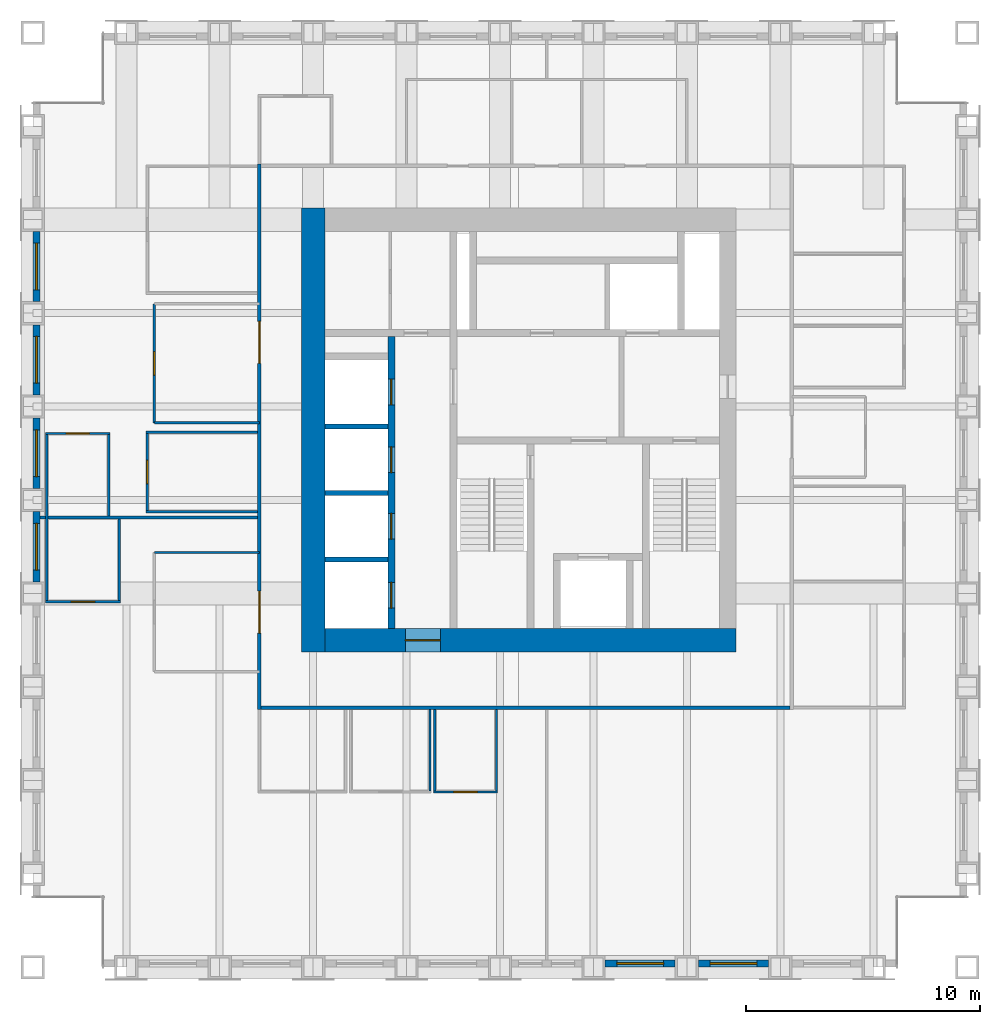
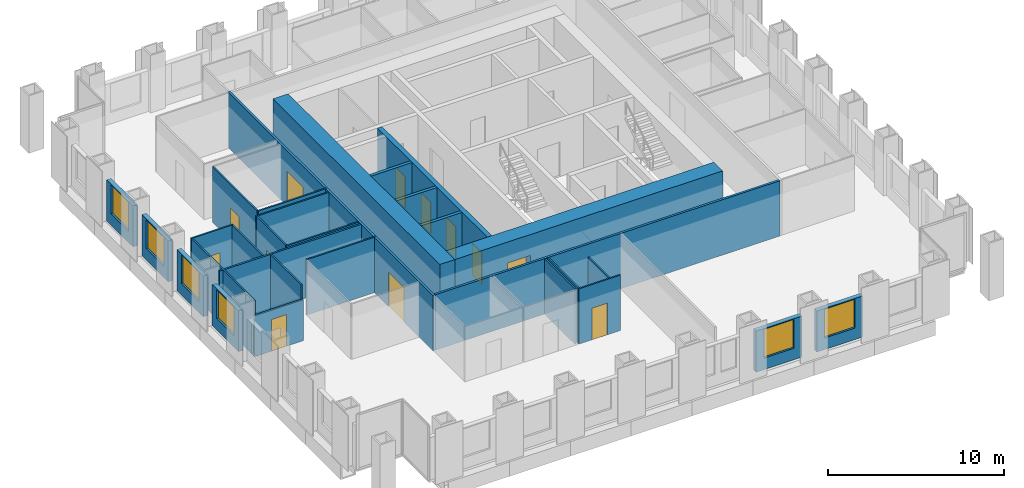
# One storey, part 8 of 13: 30 walls, 12 doors, 6 windows, 18 openings.
"""IFC4 building model written with IfcOpenShell, lengths in metres."""

from ifc_helpers import new_model, si_unit, direction, frame, frame_2d, origin, place, context, subcontext, project, spatial, rectangle, extrude, material, layer, layer_set, type_object, element, fill, save


model = new_model("IFC4")

# Units and contexts
model_context = context("Model", 3, precision=1e-05, world=origin(), true_north=direction((0.0, 1.0)))
body_context = subcontext(model_context, "Body", "Model", "MODEL_VIEW")
ifc_project = project(units=[si_unit("LENGTHUNIT", "METRE"), si_unit("AREAUNIT", "SQUARE_METRE"), si_unit("VOLUMEUNIT", "CUBIC_METRE"), si_unit("PLANEANGLEUNIT", "RADIAN"), si_unit("MASSUNIT", "GRAM", prefix="KILO")], contexts=[model_context])

# Site, building, storey
site_placement = place(None, origin())
site = spatial("IfcSite", under=ifc_project, at=site_placement, CompositionType="ELEMENT")
building_placement = place(site_placement, origin())
building = spatial("IfcBuilding", under=site, at=building_placement, Name="Rimbunsela Tower", CompositionType="ELEMENT")
storey_placement = place(building_placement, frame((0.0, 0.0, 286.199951171875)))
storey = spatial("IfcBuildingStorey", under=building, at=storey_placement, Name="L69", CompositionType="ELEMENT", Elevation=286.199951171875)

# Wall, openings, doors
ifc_material_1 = material(Name="Concrete fc' 80 MPa", Category="concrete")
ifc_layer_1 = layer(ifc_material_1, 0.300048828125)
ifc_layer_set_1 = layer_set([ifc_layer_1], Name="Core internal wall 300")
wall_type_1 = type_object("IfcWallType", Name="Core internal wall 300", PredefinedType="SHEAR", material=ifc_layer_set_1)
wall_1_placement = place(storey_placement, frame((21.35009765625, 18.5, -0.14990234375), z_axis=(0.0, 0.0, 1.0), x_axis=(0.0, 1.0, 0.0)))
wall_1 = element("IfcWall", 1, at=wall_1_placement, inside=storey, type_object=wall_type_1, Name="Lift shaft front west", PredefinedType="SHEAR", context=body_context, shape_type="SweptSolid", body=[
    extrude(rectangle(XDim=12.5, YDim=0.300048828125, at=frame_2d((6.25, 0.0))), origin(), (0.0, 0.0, 1.0), 4.0),
])
opening_1_placement = place(wall_1_placement, frame((0.875, 0.0, 0.14990234375)))
opening_1 = element("IfcOpeningElement", 2, at=opening_1_placement, cuts=wall_1, Name="Opening LD1", PredefinedType="OPENING", context=body_context, shape_type="SweptSolid", body=[
    extrude(rectangle(XDim=1.10009765625, YDim=2.199951171875, at=frame_2d((0.550048828125, 1.10009765625))), frame((0.0, 0.159912109375, 0.0), z_axis=(0.0, -1.0, 0.0), x_axis=(1.0, 0.0, 0.0)), (0.0, 0.0, 1.0), 0.320068359375),
])
opening_2_placement = place(wall_1_placement, frame((3.824951171875, 0.0, 0.14990234375)))
opening_2 = element("IfcOpeningElement", 3, at=opening_2_placement, cuts=wall_1, Name="Opening LD1", PredefinedType="OPENING", context=body_context, shape_type="SweptSolid", body=[
    extrude(rectangle(XDim=1.10009765625, YDim=2.199951171875, at=frame_2d((0.550048828125, 1.10009765625))), frame((0.0, 0.159912109375, 0.0), z_axis=(0.0, -1.0, 0.0), x_axis=(1.0, 0.0, 0.0)), (0.0, 0.0, 1.0), 0.320068359375),
])
opening_3_placement = place(wall_1_placement, frame((6.675048828125, 0.0, 0.14990234375)))
opening_3 = element("IfcOpeningElement", 4, at=opening_3_placement, cuts=wall_1, Name="Opening LD1", PredefinedType="OPENING", context=body_context, shape_type="SweptSolid", body=[
    extrude(rectangle(XDim=1.10009765625, YDim=2.199951171875, at=frame_2d((0.550048828125, 1.10009765625))), frame((0.0, 0.159912109375, 0.0), z_axis=(0.0, -1.0, 0.0), x_axis=(1.0, 0.0, 0.0)), (0.0, 0.0, 1.0), 0.320068359375),
])
opening_4_placement = place(wall_1_placement, frame((9.574951171875, 0.0, 0.14990234375)))
opening_4 = element("IfcOpeningElement", 5, at=opening_4_placement, cuts=wall_1, Name="Opening LD1", PredefinedType="OPENING", context=body_context, shape_type="SweptSolid", body=[
    extrude(rectangle(XDim=1.10009765625, YDim=2.199951171875, at=frame_2d((0.550048828125, 1.10009765625))), frame((0.0, 0.159912109375, 0.0), z_axis=(0.0, -1.0, 0.0), x_axis=(1.0, 0.0, 0.0)), (0.0, 0.0, 1.0), 0.320068359375),
])
ifc_material_2 = material(Name="Steel door, fire rated", Category="steel")
door_type_1 = type_object("IfcDoorType", Name="Lift landing door 1100", OperationType="DOUBLE_DOOR_SLIDING", PredefinedType="DOOR", material=ifc_material_2)
door_1_placement = place(opening_1_placement, origin())
door_1 = element("IfcDoor", 6, at=door_1_placement, inside=storey, type_object=door_type_1, Name="Lift landing door TL1", OperationType="DOUBLE_DOOR_SLIDING", OverallHeight=2.199951171875, OverallWidth=1.10009765625, PredefinedType="DOOR", context=body_context, shape_type="SweptSolid", body=[
    extrude(rectangle(XDim=1.10009765625, YDim=2.199951171875, at=frame_2d((0.550048828125, 1.10009765625))), frame((0.0, 0.02490234375, 0.0), z_axis=(0.0, -1.0, 0.0), x_axis=(1.0, 0.0, 0.0)), (0.0, 0.0, 1.0), 0.050048828125),
])
fill(opening_1, door_1)
door_2_placement = place(opening_2_placement, origin())
door_2 = element("IfcDoor", 7, at=door_2_placement, inside=storey, type_object=door_type_1, Name="Lift landing door TL2", OperationType="DOUBLE_DOOR_SLIDING", OverallHeight=2.199951171875, OverallWidth=1.10009765625, PredefinedType="DOOR", context=body_context, shape_type="SweptSolid", body=[
    extrude(rectangle(XDim=1.10009765625, YDim=2.199951171875, at=frame_2d((0.550048828125, 1.10009765625))), frame((0.0, 0.02490234375, 0.0), z_axis=(0.0, -1.0, 0.0), x_axis=(1.0, 0.0, 0.0)), (0.0, 0.0, 1.0), 0.050048828125),
])
fill(opening_2, door_2)
door_3_placement = place(opening_3_placement, origin())
door_3 = element("IfcDoor", 8, at=door_3_placement, inside=storey, type_object=door_type_1, Name="Lift landing door TL3", OperationType="DOUBLE_DOOR_SLIDING", OverallHeight=2.199951171875, OverallWidth=1.10009765625, PredefinedType="DOOR", context=body_context, shape_type="SweptSolid", body=[
    extrude(rectangle(XDim=1.10009765625, YDim=2.199951171875, at=frame_2d((0.550048828125, 1.10009765625))), frame((0.0, 0.02490234375, 0.0), z_axis=(0.0, -1.0, 0.0), x_axis=(1.0, 0.0, 0.0)), (0.0, 0.0, 1.0), 0.050048828125),
])
fill(opening_3, door_3)
door_4_placement = place(opening_4_placement, origin())
door_4 = element("IfcDoor", 9, at=door_4_placement, inside=storey, type_object=door_type_1, Name="Lift landing door TL4", OperationType="DOUBLE_DOOR_SLIDING", OverallHeight=2.199951171875, OverallWidth=1.10009765625, PredefinedType="DOOR", context=body_context, shape_type="SweptSolid", body=[
    extrude(rectangle(XDim=1.10009765625, YDim=2.199951171875, at=frame_2d((0.550048828125, 1.10009765625))), frame((0.0, 0.02490234375, 0.0), z_axis=(0.0, -1.0, 0.0), x_axis=(1.0, 0.0, 0.0)), (0.0, 0.0, 1.0), 0.050048828125),
])
fill(opening_4, door_4)

# Wall
ifc_material_3 = material(Name="Concrete fc' 80 MPa", Category="concrete")
ifc_layer_2 = layer(ifc_material_3, 1.0)
ifc_layer_set_2 = layer_set([ifc_layer_2], Name="Core wall 1000")
wall_type_2 = type_object("IfcWallType", Name="Core wall 1000", PredefinedType="SHEAR", material=ifc_layer_set_2)
wall_2_placement = place(storey_placement, frame((18.0, 17.5, -0.14990234375), z_axis=(0.0, 0.0, 1.0), x_axis=(0.0, 1.0, 0.0)))
element("IfcWall", 10, at=wall_2_placement, inside=storey, type_object=wall_type_2, Name="Core wall west", PredefinedType="SHEAR", context=body_context, shape_type="SweptSolid", body=[
    extrude(rectangle(XDim=19.0, YDim=1.0, at=frame_2d((9.5, 0.0))), origin(), (0.0, 0.0, 1.0), 4.0),
])

# Wall, opening, door
wall_3_placement = place(storey_placement, frame((18.5, 18.0, -0.14990234375), z_axis=(0.0, 0.0, 1.0), x_axis=(1.0, 0.0, 0.0)))
wall_3 = element("IfcWall", 11, at=wall_3_placement, inside=storey, type_object=wall_type_2, Name="Core wall south", PredefinedType="SHEAR", context=body_context, shape_type="SweptSolid", body=[
    extrude(rectangle(XDim=17.60009765625, YDim=1.0, at=frame_2d((8.800048828125, 0.0))), origin(), (0.0, 0.0, 1.0), 4.0),
])
opening_5_placement = place(wall_3_placement, frame((3.449951171875, 0.0, 0.14990234375)))
opening_5 = element("IfcOpeningElement", 12, at=opening_5_placement, cuts=wall_3, Name="Opening D03", PredefinedType="OPENING", context=body_context, shape_type="SweptSolid", body=[
    extrude(rectangle(XDim=1.5, YDim=2.39990234375, at=frame_2d((0.75, 1.199951171875))), frame((0.0, 0.510009765625, 0.0), z_axis=(0.0, -1.0, 0.0), x_axis=(1.0, 0.0, 0.0)), (0.0, 0.0, 1.0), 1.02001953125),
])
ifc_material_4 = material(Name="Steel door, fire rated", Category="steel")
door_type_2 = type_object("IfcDoorType", Name="Core lobby door 1500", OperationType="DOUBLE_DOOR_DOUBLE_SWING", PredefinedType="DOOR", material=ifc_material_4)
door_5_placement = place(opening_5_placement, origin())
door_5 = element("IfcDoor", 13, at=door_5_placement, inside=storey, type_object=door_type_2, Name="Core door south", OperationType="DOUBLE_DOOR_DOUBLE_SWING", OverallHeight=2.39990234375, OverallWidth=1.5, PredefinedType="DOOR", context=body_context, shape_type="SweptSolid", body=[
    extrude(rectangle(XDim=1.5, YDim=2.39990234375, at=frame_2d((0.75, 1.199951171875))), frame((0.0, 0.02490234375, 0.0), z_axis=(0.0, -1.0, 0.0), x_axis=(1.0, 0.0, 0.0)), (0.0, 0.0, 1.0), 0.050048828125),
])
fill(opening_5, door_5)

# Walls
ifc_material_5 = material(Name="Concrete blockwork", Category="masonry")
ifc_layer_3 = layer(ifc_material_5, 0.199951171875)
ifc_layer_set_3 = layer_set([ifc_layer_3], Name="Lift shaft wall 200")
wall_type_3 = type_object("IfcWallType", Name="Lift shaft wall 200", PredefinedType="SOLIDWALL", material=ifc_layer_set_3)
for number, where, z_axis, x_axis, name in (
    (14, (18.5, 21.449951171875, -0.14990234375), (0.0, 0.0, 1.0), (1.0, 0.0, 0.0), "Lift shaft separation"),
    (15, (18.5, 24.300048828125, -0.14990234375), (0.0, 0.0, 1.0), (1.0, 0.0, 0.0), "Lift shaft separation"),
    (16, (18.5, 27.14990234375, -0.14990234375), (0.0, 0.0, 1.0), (1.0, 0.0, 0.0), "Lift shaft separation"),
):
    element("IfcWall", number, at=place(storey_placement, frame(where, z_axis=z_axis, x_axis=x_axis)), inside=storey, type_object=wall_type_3, Name=name, PredefinedType="SOLIDWALL", context=body_context, shape_type="SweptSolid", body=[
        extrude(rectangle(XDim=2.699951171875, YDim=0.199951171875, at=frame_2d((1.35009765625, 0.0))), origin(), (0.0, 0.0, 1.0), 4.0),
    ])

# Wall, opening, door
ifc_material_6 = material(Name="Gypsum board on steel studs", Category="steel")
ifc_layer_4 = layer(ifc_material_6, 0.10009765625)
ifc_layer_set_4 = layer_set([ifc_layer_4], Name="Office partition 100")
wall_type_4 = type_object("IfcWallType", Name="Office partition 100", PredefinedType="PARTITIONING", material=ifc_layer_set_4)
wall_4_placement = place(storey_placement, frame((23.14990234375, 11.5, 0.0), z_axis=(0.0, 0.0, 1.0), x_axis=(1.0, 0.0, 0.0)))
wall_4 = element("IfcWall", 17, at=wall_4_placement, inside=storey, type_object=wall_type_4, Name="Office partition", PredefinedType="PARTITIONING", context=body_context, shape_type="SweptSolid", body=[
    extrude(rectangle(XDim=2.75, YDim=0.10009765625, at=frame_2d((1.375, 0.0))), origin(), (0.0, 0.0, 1.0), 3.85009765625),
])
opening_6_placement = place(wall_4_placement, frame((0.875, 0.0, 0.0)))
opening_6 = element("IfcOpeningElement", 18, at=opening_6_placement, cuts=wall_4, Name="Opening D16", PredefinedType="OPENING", context=body_context, shape_type="SweptSolid", body=[
    extrude(rectangle(XDim=1.0, YDim=2.199951171875, at=frame_2d((0.5, 1.10009765625))), frame((0.0, 0.06005859375, 0.0), z_axis=(0.0, -1.0, 0.0), x_axis=(1.0, 0.0, 0.0)), (0.0, 0.0, 1.0), 0.1201171875),
])
ifc_material_7 = material(Name="Timber door", Category="wood")
door_type_3 = type_object("IfcDoorType", Name="Office door 1000", OperationType="SINGLE_SWING_LEFT", PredefinedType="DOOR", material=ifc_material_7)
door_6_placement = place(opening_6_placement, origin())
door_6 = element("IfcDoor", 19, at=door_6_placement, inside=storey, type_object=door_type_3, Name="Office door", OperationType="SINGLE_SWING_LEFT", OverallHeight=2.199951171875, OverallWidth=1.0, PredefinedType="DOOR", context=body_context, shape_type="SweptSolid", body=[
    extrude(rectangle(XDim=1.0, YDim=2.199951171875, at=frame_2d((0.5, 1.10009765625))), frame((0.0, 0.02490234375, 0.0), z_axis=(0.0, -1.0, 0.0), x_axis=(1.0, 0.0, 0.0)), (0.0, 0.0, 1.0), 0.050048828125),
])
fill(opening_6, door_6)

wall_5_placement = place(storey_placement, frame((6.550048828125, 19.64990234375, 0.0), z_axis=(0.0, 0.0, 1.0), x_axis=(1.0, 0.0, 0.0)))
wall_5 = element("IfcWall", 20, at=wall_5_placement, inside=storey, type_object=wall_type_4, Name="Office partition", PredefinedType="PARTITIONING", context=body_context, shape_type="SweptSolid", body=[
    extrude(rectangle(XDim=3.199951171875, YDim=0.10009765625, at=frame_2d((1.60009765625, 0.0))), origin(), (0.0, 0.0, 1.0), 2.85009765625),
])
opening_7_placement = place(wall_5_placement, frame((1.10009765625, 0.0, 0.0)))
opening_7 = element("IfcOpeningElement", 21, at=opening_7_placement, cuts=wall_5, Name="Opening D16", PredefinedType="OPENING", context=body_context, shape_type="SweptSolid", body=[
    extrude(rectangle(XDim=1.0, YDim=2.199951171875, at=frame_2d((0.5, 1.10009765625))), frame((0.0, 0.06005859375, 0.0), z_axis=(0.0, -1.0, 0.0), x_axis=(1.0, 0.0, 0.0)), (0.0, 0.0, 1.0), 0.1201171875),
])
door_7_placement = place(opening_7_placement, origin())
door_7 = element("IfcDoor", 22, at=door_7_placement, inside=storey, type_object=door_type_3, Name="Office door", OperationType="SINGLE_SWING_LEFT", OverallHeight=2.199951171875, OverallWidth=1.0, PredefinedType="DOOR", context=body_context, shape_type="SweptSolid", body=[
    extrude(rectangle(XDim=1.0, YDim=2.199951171875, at=frame_2d((0.5, 1.10009765625))), frame((0.0, 0.02490234375, 0.0), z_axis=(0.0, -1.0, 0.0), x_axis=(1.0, 0.0, 0.0)), (0.0, 0.0, 1.0), 0.050048828125),
])
fill(opening_7, door_7)

# Wall
wall_6_placement = place(storey_placement, frame((10.85009765625, 23.5, 0.0), z_axis=(0.0, 0.0, 1.0), x_axis=(1.0, 0.0, 0.0)))
element("IfcWall", 23, at=wall_6_placement, inside=storey, type_object=wall_type_4, Name="Office partition", PredefinedType="PARTITIONING", context=body_context, shape_type="SweptSolid", body=[
    extrude(rectangle(XDim=4.77490234375, YDim=0.10009765625, at=frame_2d((2.387451171875, 0.0))), origin(), (0.0, 0.0, 1.0), 3.85009765625),
])

# Wall, opening, door
wall_7_placement = place(storey_placement, frame((6.550048828125, 26.85009765625, 0.0), z_axis=(0.0, 0.0, 1.0), x_axis=(1.0, 0.0, 0.0)))
wall_7 = element("IfcWall", 24, at=wall_7_placement, inside=storey, type_object=wall_type_4, Name="Office partition", PredefinedType="PARTITIONING", context=body_context, shape_type="SweptSolid", body=[
    extrude(rectangle(XDim=2.75, YDim=0.10009765625, at=frame_2d((1.375, 0.0))), origin(), (0.0, 0.0, 1.0), 3.85009765625),
])
opening_8_placement = place(wall_7_placement, frame((0.875, 0.0, 0.0)))
opening_8 = element("IfcOpeningElement", 25, at=opening_8_placement, cuts=wall_7, Name="Opening D16", PredefinedType="OPENING", context=body_context, shape_type="SweptSolid", body=[
    extrude(rectangle(XDim=1.0, YDim=2.199951171875, at=frame_2d((0.5, 1.10009765625))), frame((0.0, 0.06005859375, 0.0), z_axis=(0.0, -1.0, 0.0), x_axis=(1.0, 0.0, 0.0)), (0.0, 0.0, 1.0), 0.1201171875),
])
door_8_placement = place(opening_8_placement, origin())
door_8 = element("IfcDoor", 26, at=door_8_placement, inside=storey, type_object=door_type_3, Name="Office door", OperationType="SINGLE_SWING_LEFT", OverallHeight=2.199951171875, OverallWidth=1.0, PredefinedType="DOOR", context=body_context, shape_type="SweptSolid", body=[
    extrude(rectangle(XDim=1.0, YDim=2.199951171875, at=frame_2d((0.5, 1.10009765625))), frame((0.0, 0.02490234375, 0.0), z_axis=(0.0, -1.0, 0.0), x_axis=(1.0, 0.0, 0.0)), (0.0, 0.0, 1.0), 0.050048828125),
])
fill(opening_8, door_8)

# Walls
wall_8_placement = place(storey_placement, frame((10.85009765625, 26.89990234375, 0.0), z_axis=(0.0, 0.0, 1.0), x_axis=(1.0, 0.0, 0.0)))
element("IfcWall", 27, at=wall_8_placement, inside=storey, type_object=wall_type_4, Name="Office partition", PredefinedType="PARTITIONING", context=body_context, shape_type="SweptSolid", body=[
    extrude(rectangle(XDim=4.77490234375, YDim=0.10009765625, at=frame_2d((2.387451171875, 0.0))), origin(), (0.0, 0.0, 1.0), 3.85009765625),
])
wall_9_placement = place(storey_placement, frame((6.60009765625, 19.699951171875, 0.0), z_axis=(0.0, 0.0, 1.0), x_axis=(0.0, 1.0, 0.0)))
element("IfcWall", 28, at=wall_9_placement, inside=storey, type_object=wall_type_4, Name="Office partition", PredefinedType="PARTITIONING", context=body_context, shape_type="SweptSolid", body=[
    extrude(rectangle(XDim=7.10009765625, YDim=0.10009765625, at=frame_2d((3.550048828125, 0.0))), origin(), (0.0, 0.0, 1.0), 3.85009765625),
])
for number, where, z_axis, x_axis, name in (
    (29, (9.25, 23.31005859375, 0.0), (0.0, 0.0, 1.0), (0.0, 1.0, 0.0), "Office partition"),
    (30, (9.699951171875, 19.699951171875, 0.0), (0.0, 0.0, 1.0), (0.0, 1.0, 0.0), "Office partition"),
):
    element("IfcWall", number, at=place(storey_placement, frame(where, z_axis=z_axis, x_axis=x_axis)), inside=storey, type_object=wall_type_4, Name=name, PredefinedType="PARTITIONING", context=body_context, shape_type="SweptSolid", body=[
        extrude(rectangle(XDim=3.489990234375, YDim=0.10009765625, at=frame_2d((1.7451171875, 0.0))), origin(), (0.0, 0.0, 1.0), 3.85009765625),
    ])

# Wall, opening, door
wall_10_placement = place(storey_placement, frame((10.89990234375, 23.550048828125, 0.0), z_axis=(0.0, 0.0, 1.0), x_axis=(0.0, 1.0, 0.0)))
wall_10 = element("IfcWall", 31, at=wall_10_placement, inside=storey, type_object=wall_type_4, Name="Office partition", PredefinedType="PARTITIONING", context=body_context, shape_type="SweptSolid", body=[
    extrude(rectangle(XDim=3.300048828125, YDim=0.10009765625, at=frame_2d((1.64990234375, 0.0))), origin(), (0.0, 0.0, 1.0), 3.85009765625),
])
opening_9_placement = place(wall_10_placement, frame((1.14990234375, 0.0, 0.0)))
opening_9 = element("IfcOpeningElement", 32, at=opening_9_placement, cuts=wall_10, Name="Opening D16", PredefinedType="OPENING", context=body_context, shape_type="SweptSolid", body=[
    extrude(rectangle(XDim=1.0, YDim=2.199951171875, at=frame_2d((0.5, 1.10009765625))), frame((0.0, 0.06005859375, 0.0), z_axis=(0.0, -1.0, 0.0), x_axis=(1.0, 0.0, 0.0)), (0.0, 0.0, 1.0), 0.1201171875),
])
door_9_placement = place(opening_9_placement, origin())
door_9 = element("IfcDoor", 33, at=door_9_placement, inside=storey, type_object=door_type_3, Name="Office door", OperationType="SINGLE_SWING_LEFT", OverallHeight=2.199951171875, OverallWidth=1.0, PredefinedType="DOOR", context=body_context, shape_type="SweptSolid", body=[
    extrude(rectangle(XDim=1.0, YDim=2.199951171875, at=frame_2d((0.5, 1.10009765625))), frame((0.0, 0.02490234375, 0.0), z_axis=(0.0, -1.0, 0.0), x_axis=(1.0, 0.0, 0.0)), (0.0, 0.0, 1.0), 0.050048828125),
])
fill(opening_9, door_9)

# Walls
for number, where, z_axis, x_axis, name in (
    (34, (23.0, 11.550048828125, 0.0), (0.0, 0.0, 1.0), (0.0, 1.0, 0.0), "Office partition"),
    (35, (23.199951171875, 11.550048828125, 0.0), (0.0, 0.0, 1.0), (0.0, 1.0, 0.0), "Office partition"),
):
    element("IfcWall", number, at=place(storey_placement, frame(where, z_axis=z_axis, x_axis=x_axis)), inside=storey, type_object=wall_type_4, Name=name, PredefinedType="PARTITIONING", context=body_context, shape_type="SweptSolid", body=[
        extrude(rectangle(XDim=3.474853515625, YDim=0.10009765625, at=frame_2d((1.7373046875, 0.0))), origin(), (0.0, 0.0, 1.0), 3.85009765625),
    ])
wall_11_placement = place(storey_placement, frame((25.85009765625, 11.550048828125, 0.0), z_axis=(0.0, 0.0, 1.0), x_axis=(0.0, 1.0, 0.0)))
element("IfcWall", 36, at=wall_11_placement, inside=storey, type_object=wall_type_4, Name="Office partition", PredefinedType="PARTITIONING", context=body_context, shape_type="SweptSolid", body=[
    extrude(rectangle(XDim=3.474853515625, YDim=0.10009765625, at=frame_2d((1.7373046875, 0.0))), origin(), (0.0, 0.0, 1.0), 2.949951171875),
])
wall_12_placement = place(storey_placement, frame((15.699951171875, 21.75, 0.0), z_axis=(0.0, 0.0, 1.0), x_axis=(-1.0, 0.0, 0.0)))
element("IfcWall", 37, at=wall_12_placement, inside=storey, type_object=wall_type_4, Name="Office partition", PredefinedType="PARTITIONING", context=body_context, shape_type="SweptSolid", body=[
    extrude(rectangle(XDim=4.5, YDim=0.10009765625, at=frame_2d((2.25, 0.0))), origin(), (0.0, 0.0, 1.0), 3.85009765625),
])

# Wall, opening, door
wall_13_placement = place(storey_placement, frame((11.199951171875, 32.39990234375, 0.0), z_axis=(0.0, 0.0, 1.0), x_axis=(0.0, -1.0, 0.0)))
wall_13 = element("IfcWall", 38, at=wall_13_placement, inside=storey, type_object=wall_type_4, Name="Office partition", PredefinedType="PARTITIONING", context=body_context, shape_type="SweptSolid", body=[
    extrude(rectangle(XDim=5.099853515625, YDim=0.10009765625, at=frame_2d((2.5498046875, 0.0))), origin(), (0.0, 0.0, 1.0), 3.85009765625),
])
opening_10_placement = place(wall_13_placement, frame((2.050048828125, 0.0, 0.0)))
opening_10 = element("IfcOpeningElement", 39, at=opening_10_placement, cuts=wall_13, Name="Opening D17", PredefinedType="OPENING", context=body_context, shape_type="SweptSolid", body=[
    extrude(rectangle(XDim=1.0, YDim=2.199951171875, at=frame_2d((0.5, 1.10009765625))), frame((0.0, 0.06005859375, 0.0), z_axis=(0.0, -1.0, 0.0), x_axis=(1.0, 0.0, 0.0)), (0.0, 0.0, 1.0), 0.1201171875),
])
ifc_material_8 = material(Name="Glazed aluminium door", Category="aluminium")
door_type_4 = type_object("IfcDoorType", Name="Meeting room door 1000 glazed", OperationType="SINGLE_SWING_RIGHT", PredefinedType="DOOR", material=ifc_material_8)
door_10_placement = place(opening_10_placement, origin())
door_10 = element("IfcDoor", 40, at=door_10_placement, inside=storey, type_object=door_type_4, Name="Reception door", OperationType="SINGLE_SWING_RIGHT", OverallHeight=2.199951171875, OverallWidth=1.0, PredefinedType="DOOR", context=body_context, shape_type="SweptSolid", body=[
    extrude(rectangle(XDim=1.0, YDim=2.199951171875, at=frame_2d((0.5, 1.10009765625))), frame((0.0, 0.02490234375, 0.0), z_axis=(0.0, -1.0, 0.0), x_axis=(1.0, 0.0, 0.0)), (0.0, 0.0, 1.0), 0.050048828125),
])
fill(opening_10, door_10)

# Wall
wall_14_placement = place(storey_placement, frame((11.199951171875, 27.300048828125, 0.0), z_axis=(0.0, 0.0, 1.0), x_axis=(1.0, 0.0, 0.0)))
element("IfcWall", 41, at=wall_14_placement, inside=storey, type_object=wall_type_4, Name="Office partition", PredefinedType="PARTITIONING", context=body_context, shape_type="SweptSolid", body=[
    extrude(rectangle(XDim=4.5, YDim=0.10009765625, at=frame_2d((2.25, 0.0))), origin(), (0.0, 0.0, 1.0), 3.85009765625),
])

# Wall, opening, window
ifc_material_9 = material(Name="Precast concrete fc' 35 MPa", Category="concrete")
ifc_layer_5 = layer(ifc_material_9, 0.300048828125)
ifc_layer_set_5 = layer_set([ifc_layer_5], Name="Precast concrete fc' 35 MPa")
wall_type_5 = type_object("IfcWallType", Name="Precast facade panel 300", PredefinedType="ELEMENTEDWALL", material=ifc_layer_set_5)
wall_15_placement = place(storey_placement, frame((30.5, 4.14990234375, 0.0), z_axis=(0.0, 0.0, 1.0), x_axis=(1.0, 0.0, 0.0)))
wall_15 = element("IfcWall", 42, at=wall_15_placement, inside=storey, type_object=wall_type_5, Name="Facade panel S L69", PredefinedType="ELEMENTEDWALL", context=body_context, shape_type="SweptSolid", body=[
    extrude(rectangle(XDim=3.0, YDim=0.300048828125, at=frame_2d((1.5, 0.0))), origin(), (0.0, 0.0, 1.0), 2.85009765625),
])
opening_11_placement = place(wall_15_placement, frame((0.5, 0.0, 0.800048828125)))
opening_11 = element("IfcOpeningElement", 43, at=opening_11_placement, cuts=wall_15, Name="Opening W1", PredefinedType="OPENING", context=body_context, shape_type="SweptSolid", body=[
    extrude(rectangle(XDim=2.0, YDim=2.0, at=frame_2d((1.0, 1.0))), frame((0.0, 0.159912109375, 0.0), z_axis=(0.0, -1.0, 0.0), x_axis=(1.0, 0.0, 0.0)), (0.0, 0.0, 1.0), 0.320068359375),
])
ifc_material_10 = material(Name="Clear glass in aluminium frame", Category="aluminium")
window_type = type_object("IfcWindowType", Name="Window W1 2000x2000", PartitioningType="DOUBLE_PANEL_VERTICAL", PredefinedType="WINDOW", material=ifc_material_10)
window_1_placement = place(opening_11_placement, origin())
window_1 = element("IfcWindow", 44, at=window_1_placement, inside=storey, type_object=window_type, Name="Window L69", OverallHeight=2.0, OverallWidth=2.0, PartitioningType="SINGLE_PANEL", PredefinedType="WINDOW", context=body_context, shape_type="SweptSolid", body=[
    extrude(rectangle(XDim=2.0, YDim=2.0, at=frame_2d((1.0, 1.0))), frame((0.0, 0.030029296875, 0.0), z_axis=(0.0, -1.0, 0.0), x_axis=(1.0, 0.0, 0.0)), (0.0, 0.0, 1.0), 0.06005859375),
])
fill(opening_11, window_1)

wall_16_placement = place(storey_placement, frame((34.5, 4.14990234375, 0.0), z_axis=(0.0, 0.0, 1.0), x_axis=(1.0, 0.0, 0.0)))
wall_16 = element("IfcWall", 45, at=wall_16_placement, inside=storey, type_object=wall_type_5, Name="Facade panel S L69", PredefinedType="ELEMENTEDWALL", context=body_context, shape_type="SweptSolid", body=[
    extrude(rectangle(XDim=3.0, YDim=0.300048828125, at=frame_2d((1.5, 0.0))), origin(), (0.0, 0.0, 1.0), 2.85009765625),
])
opening_12_placement = place(wall_16_placement, frame((0.5, 0.0, 0.800048828125)))
opening_12 = element("IfcOpeningElement", 46, at=opening_12_placement, cuts=wall_16, Name="Opening W1", PredefinedType="OPENING", context=body_context, shape_type="SweptSolid", body=[
    extrude(rectangle(XDim=2.0, YDim=2.0, at=frame_2d((1.0, 1.0))), frame((0.0, 0.159912109375, 0.0), z_axis=(0.0, -1.0, 0.0), x_axis=(1.0, 0.0, 0.0)), (0.0, 0.0, 1.0), 0.320068359375),
])
window_2_placement = place(opening_12_placement, origin())
window_2 = element("IfcWindow", 47, at=window_2_placement, inside=storey, type_object=window_type, Name="Window L69", OverallHeight=2.0, OverallWidth=2.0, PartitioningType="SINGLE_PANEL", PredefinedType="WINDOW", context=body_context, shape_type="SweptSolid", body=[
    extrude(rectangle(XDim=2.0, YDim=2.0, at=frame_2d((1.0, 1.0))), frame((0.0, 0.030029296875, 0.0), z_axis=(0.0, -1.0, 0.0), x_axis=(1.0, 0.0, 0.0)), (0.0, 0.0, 1.0), 0.06005859375),
])
fill(opening_12, window_2)

wall_17_placement = place(storey_placement, frame((6.14990234375, 23.5, 0.0), z_axis=(0.0, 0.0, 1.0), x_axis=(0.0, -1.0, 0.0)))
wall_17 = element("IfcWall", 48, at=wall_17_placement, inside=storey, type_object=wall_type_5, Name="Facade panel W L69", PredefinedType="ELEMENTEDWALL", context=body_context, shape_type="SweptSolid", body=[
    extrude(rectangle(XDim=3.0, YDim=0.300048828125, at=frame_2d((1.5, 0.0))), origin(), (0.0, 0.0, 1.0), 2.85009765625),
])
opening_13_placement = place(wall_17_placement, frame((0.5, 0.0, 0.800048828125)))
opening_13 = element("IfcOpeningElement", 49, at=opening_13_placement, cuts=wall_17, Name="Opening W1", PredefinedType="OPENING", context=body_context, shape_type="SweptSolid", body=[
    extrude(rectangle(XDim=2.0, YDim=2.0, at=frame_2d((1.0, 1.0))), frame((0.0, 0.159912109375, 0.0), z_axis=(0.0, -1.0, 0.0), x_axis=(1.0, 0.0, 0.0)), (0.0, 0.0, 1.0), 0.320068359375),
])
window_3_placement = place(opening_13_placement, origin())
window_3 = element("IfcWindow", 50, at=window_3_placement, inside=storey, type_object=window_type, Name="Window L69", OverallHeight=2.0, OverallWidth=2.0, PartitioningType="SINGLE_PANEL", PredefinedType="WINDOW", context=body_context, shape_type="SweptSolid", body=[
    extrude(rectangle(XDim=2.0, YDim=2.0, at=frame_2d((1.0, 1.0))), frame((0.0, 0.030029296875, 0.0), z_axis=(0.0, -1.0, 0.0), x_axis=(1.0, 0.0, 0.0)), (0.0, 0.0, 1.0), 0.06005859375),
])
fill(opening_13, window_3)

wall_18_placement = place(storey_placement, frame((6.14990234375, 27.5, 0.0), z_axis=(0.0, 0.0, 1.0), x_axis=(0.0, -1.0, 0.0)))
wall_18 = element("IfcWall", 51, at=wall_18_placement, inside=storey, type_object=wall_type_5, Name="Facade panel W L69", PredefinedType="ELEMENTEDWALL", context=body_context, shape_type="SweptSolid", body=[
    extrude(rectangle(XDim=3.0, YDim=0.300048828125, at=frame_2d((1.5, 0.0))), origin(), (0.0, 0.0, 1.0), 2.85009765625),
])
opening_14_placement = place(wall_18_placement, frame((0.5, 0.0, 0.800048828125)))
opening_14 = element("IfcOpeningElement", 52, at=opening_14_placement, cuts=wall_18, Name="Opening W1", PredefinedType="OPENING", context=body_context, shape_type="SweptSolid", body=[
    extrude(rectangle(XDim=2.0, YDim=2.0, at=frame_2d((1.0, 1.0))), frame((0.0, 0.159912109375, 0.0), z_axis=(0.0, -1.0, 0.0), x_axis=(1.0, 0.0, 0.0)), (0.0, 0.0, 1.0), 0.320068359375),
])
window_4_placement = place(opening_14_placement, origin())
window_4 = element("IfcWindow", 53, at=window_4_placement, inside=storey, type_object=window_type, Name="Window L69", OverallHeight=2.0, OverallWidth=2.0, PartitioningType="SINGLE_PANEL", PredefinedType="WINDOW", context=body_context, shape_type="SweptSolid", body=[
    extrude(rectangle(XDim=2.0, YDim=2.0, at=frame_2d((1.0, 1.0))), frame((0.0, 0.030029296875, 0.0), z_axis=(0.0, -1.0, 0.0), x_axis=(1.0, 0.0, 0.0)), (0.0, 0.0, 1.0), 0.06005859375),
])
fill(opening_14, window_4)

wall_19_placement = place(storey_placement, frame((6.14990234375, 31.5, 0.0), z_axis=(0.0, 0.0, 1.0), x_axis=(0.0, -1.0, 0.0)))
wall_19 = element("IfcWall", 54, at=wall_19_placement, inside=storey, type_object=wall_type_5, Name="Facade panel W L69", PredefinedType="ELEMENTEDWALL", context=body_context, shape_type="SweptSolid", body=[
    extrude(rectangle(XDim=3.0, YDim=0.300048828125, at=frame_2d((1.5, 0.0))), origin(), (0.0, 0.0, 1.0), 2.85009765625),
])
opening_15_placement = place(wall_19_placement, frame((0.5, 0.0, 0.800048828125)))
opening_15 = element("IfcOpeningElement", 55, at=opening_15_placement, cuts=wall_19, Name="Opening W1", PredefinedType="OPENING", context=body_context, shape_type="SweptSolid", body=[
    extrude(rectangle(XDim=2.0, YDim=2.0, at=frame_2d((1.0, 1.0))), frame((0.0, 0.159912109375, 0.0), z_axis=(0.0, -1.0, 0.0), x_axis=(1.0, 0.0, 0.0)), (0.0, 0.0, 1.0), 0.320068359375),
])
window_5_placement = place(opening_15_placement, origin())
window_5 = element("IfcWindow", 56, at=window_5_placement, inside=storey, type_object=window_type, Name="Window L69", OverallHeight=2.0, OverallWidth=2.0, PartitioningType="SINGLE_PANEL", PredefinedType="WINDOW", context=body_context, shape_type="SweptSolid", body=[
    extrude(rectangle(XDim=2.0, YDim=2.0, at=frame_2d((1.0, 1.0))), frame((0.0, 0.030029296875, 0.0), z_axis=(0.0, -1.0, 0.0), x_axis=(1.0, 0.0, 0.0)), (0.0, 0.0, 1.0), 0.06005859375),
])
fill(opening_15, window_5)

wall_20_placement = place(storey_placement, frame((6.14990234375, 35.5, 0.0), z_axis=(0.0, 0.0, 1.0), x_axis=(0.0, -1.0, 0.0)))
wall_20 = element("IfcWall", 57, at=wall_20_placement, inside=storey, type_object=wall_type_5, Name="Facade panel W L69", PredefinedType="ELEMENTEDWALL", context=body_context, shape_type="SweptSolid", body=[
    extrude(rectangle(XDim=3.0, YDim=0.300048828125, at=frame_2d((1.5, 0.0))), origin(), (0.0, 0.0, 1.0), 2.85009765625),
])
opening_16_placement = place(wall_20_placement, frame((0.5, 0.0, 0.800048828125)))
opening_16 = element("IfcOpeningElement", 58, at=opening_16_placement, cuts=wall_20, Name="Opening W1", PredefinedType="OPENING", context=body_context, shape_type="SweptSolid", body=[
    extrude(rectangle(XDim=2.0, YDim=2.0, at=frame_2d((1.0, 1.0))), frame((0.0, 0.159912109375, 0.0), z_axis=(0.0, -1.0, 0.0), x_axis=(1.0, 0.0, 0.0)), (0.0, 0.0, 1.0), 0.320068359375),
])
window_6_placement = place(opening_16_placement, origin())
window_6 = element("IfcWindow", 59, at=window_6_placement, inside=storey, type_object=window_type, Name="Window L69", OverallHeight=2.0, OverallWidth=2.0, PartitioningType="SINGLE_PANEL", PredefinedType="WINDOW", context=body_context, shape_type="SweptSolid", body=[
    extrude(rectangle(XDim=2.0, YDim=2.0, at=frame_2d((1.0, 1.0))), frame((0.0, 0.030029296875, 0.0), z_axis=(0.0, -1.0, 0.0), x_axis=(1.0, 0.0, 0.0)), (0.0, 0.0, 1.0), 0.06005859375),
])
fill(opening_16, window_6)

# Wall, openings, doors
ifc_material_11 = material(Name="Fire-rated gypsum board on steel studs, EI 60", Category="steel")
ifc_layer_6 = layer(ifc_material_11, 0.14990234375)
ifc_layer_set_6 = layer_set([ifc_layer_6], Name="Rated corridor wall 150")
wall_type_6 = type_object("IfcWallType", Name="Rated corridor wall 150", PredefinedType="PARTITIONING", material=ifc_layer_set_6)
wall_21_placement = place(storey_placement, frame((15.699951171875, 15.02490234375, 0.0), z_axis=(0.0, 0.0, 1.0), x_axis=(0.0, 1.0, 0.0)))
wall_21 = element("IfcWall", 60, at=wall_21_placement, inside=storey, type_object=wall_type_6, Name="Corridor wall west", PredefinedType="PARTITIONING", context=body_context, shape_type="SweptSolid", body=[
    extrude(rectangle(XDim=23.35009765625, YDim=0.14990234375, at=frame_2d((11.675048828125, 0.0))), origin(), (0.0, 0.0, 1.0), 3.85009765625),
])
opening_17_placement = place(wall_21_placement, frame((3.27490234375, 0.0, 0.0)))
opening_17 = element("IfcOpeningElement", 61, at=opening_17_placement, cuts=wall_21, Name="Opening D09", PredefinedType="OPENING", context=body_context, shape_type="SweptSolid", body=[
    extrude(rectangle(XDim=1.800048828125, YDim=2.39990234375, at=frame_2d((0.89990234375, 1.199951171875))), frame((0.0, 0.0849609375, 0.0), z_axis=(0.0, -1.0, 0.0), x_axis=(1.0, 0.0, 0.0)), (0.0, 0.0, 1.0), 0.169921875),
])
opening_18_placement = place(wall_21_placement, frame((14.824951171875, 0.0, 0.0)))
opening_18 = element("IfcOpeningElement", 62, at=opening_18_placement, cuts=wall_21, Name="Opening D09", PredefinedType="OPENING", context=body_context, shape_type="SweptSolid", body=[
    extrude(rectangle(XDim=1.800048828125, YDim=2.39990234375, at=frame_2d((0.89990234375, 1.199951171875))), frame((0.0, 0.0849609375, 0.0), z_axis=(0.0, -1.0, 0.0), x_axis=(1.0, 0.0, 0.0)), (0.0, 0.0, 1.0), 0.169921875),
])
ifc_material_12 = material(Name="Glazed aluminium door, fire rated", Category="aluminium")
door_type_5 = type_object("IfcDoorType", Name="Tenancy door 1800 glazed", OperationType="DOUBLE_DOOR_DOUBLE_SWING", PredefinedType="DOOR", material=ifc_material_12)
door_11_placement = place(opening_17_placement, origin())
door_11 = element("IfcDoor", 63, at=door_11_placement, inside=storey, type_object=door_type_5, Name="Tenancy door", OperationType="DOUBLE_DOOR_DOUBLE_SWING", OverallHeight=2.39990234375, OverallWidth=1.800048828125, PredefinedType="DOOR", context=body_context, shape_type="SweptSolid", body=[
    extrude(rectangle(XDim=1.800048828125, YDim=2.39990234375, at=frame_2d((0.89990234375, 1.199951171875))), frame((0.0, 0.02490234375, 0.0), z_axis=(0.0, -1.0, 0.0), x_axis=(1.0, 0.0, 0.0)), (0.0, 0.0, 1.0), 0.050048828125),
])
fill(opening_17, door_11)
door_12_placement = place(opening_18_placement, origin())
door_12 = element("IfcDoor", 64, at=door_12_placement, inside=storey, type_object=door_type_5, Name="Tenancy door", OperationType="DOUBLE_DOOR_DOUBLE_SWING", OverallHeight=2.39990234375, OverallWidth=1.800048828125, PredefinedType="DOOR", context=body_context, shape_type="SweptSolid", body=[
    extrude(rectangle(XDim=1.800048828125, YDim=2.39990234375, at=frame_2d((0.89990234375, 1.199951171875))), frame((0.0, 0.02490234375, 0.0), z_axis=(0.0, -1.0, 0.0), x_axis=(1.0, 0.0, 0.0)), (0.0, 0.0, 1.0), 0.050048828125),
])
fill(opening_18, door_12)

# Walls
wall_22_placement = place(storey_placement, frame((15.77490234375, 15.10009765625, 0.0), z_axis=(0.0, 0.0, 1.0), x_axis=(1.0, 0.0, 0.0)))
element("IfcWall", 65, at=wall_22_placement, inside=storey, type_object=wall_type_6, Name="Corridor wall south", PredefinedType="PARTITIONING", context=body_context, shape_type="SweptSolid", body=[
    extrude(rectangle(XDim=22.650146484375, YDim=0.14990234375, at=frame_2d((11.3251953125, 0.0))), origin(), (0.0, 0.0, 1.0), 3.85009765625),
])
ifc_material_13 = material(Name="Gypsum board on steel studs", Category="steel")
ifc_layer_7 = layer(ifc_material_13, 0.1201171875)
ifc_layer_set_7 = layer_set([ifc_layer_7], Name="Tenancy partition 120")
wall_type_7 = type_object("IfcWallType", Name="Tenancy partition 120", PredefinedType="PARTITIONING", material=ifc_layer_set_7)
wall_23_placement = place(storey_placement, frame((6.300048828125, 23.25, 0.0), z_axis=(0.0, 0.0, 1.0), x_axis=(1.0, 0.0, 0.0)))
element("IfcWall", 66, at=wall_23_placement, inside=storey, type_object=wall_type_7, Name="Tenancy partition", PredefinedType="PARTITIONING", context=body_context, shape_type="SweptSolid", body=[
    extrude(rectangle(XDim=9.324951171875, YDim=0.1201171875, at=frame_2d((4.66259765625, 0.0))), origin(), (0.0, 0.0, 1.0), 3.85009765625),
])

save(model, "model.ifc")
